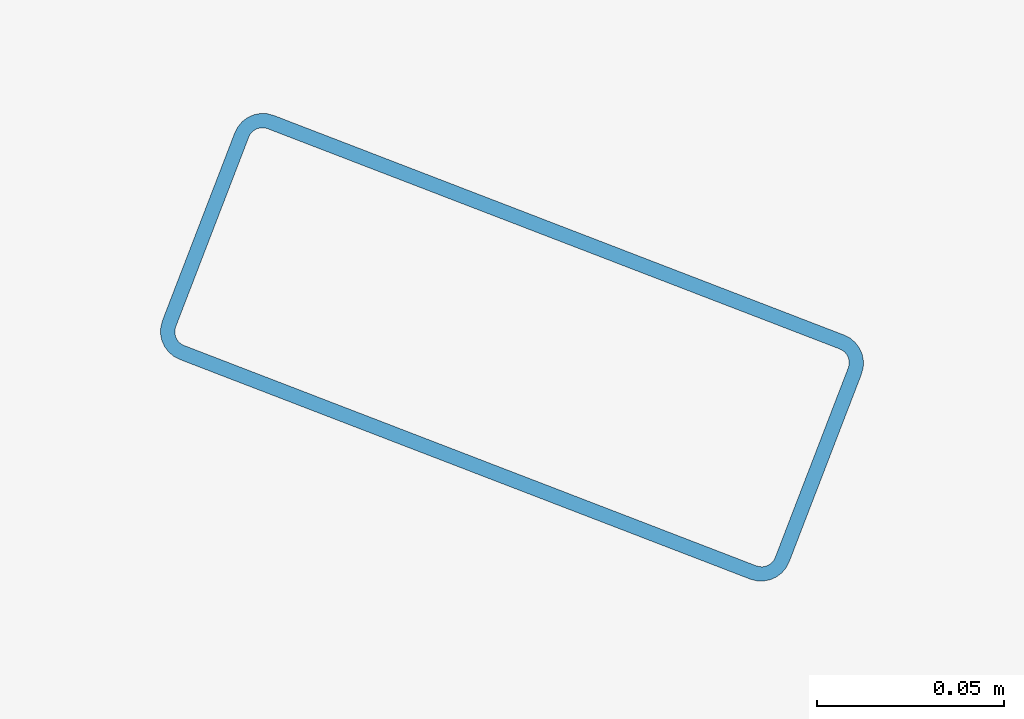
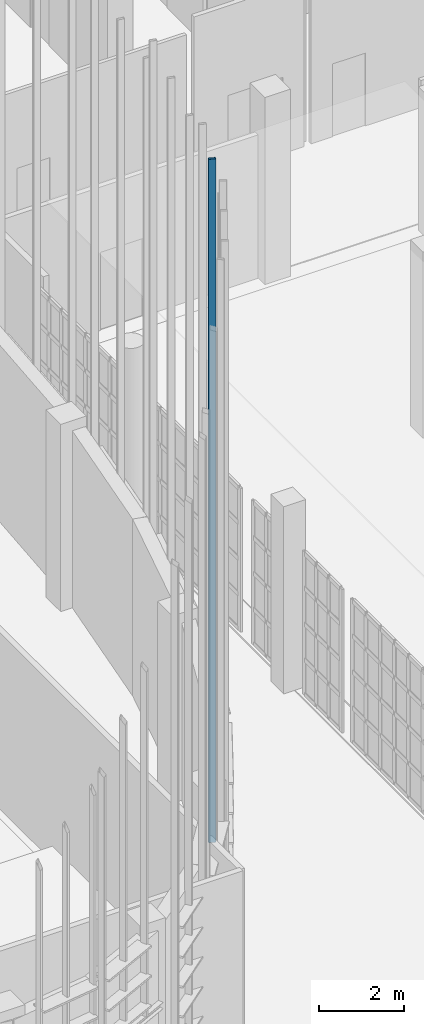
# One storey, part 209 of 372: 1 member.
"""IFC4 building model written with IfcOpenShell, lengths in metres."""

from ifc_helpers import new_model, si_unit, direction, frame, origin, origin_2d, place, context, subcontext, project, spatial, hollow_rectangle, extrude, material, material_profile, profile_set, type_object, element, save


model = new_model("IFC4")

# Units and contexts
model_context = context("Model", 3, precision=1e-05, world=origin(), true_north=direction((0.0, 1.0)))
body_context = subcontext(model_context, "Body", "Model", "MODEL_VIEW")
ifc_project = project(units=[si_unit("LENGTHUNIT", "METRE"), si_unit("AREAUNIT", "SQUARE_METRE"), si_unit("VOLUMEUNIT", "CUBIC_METRE"), si_unit("PLANEANGLEUNIT", "RADIAN"), si_unit("MASSUNIT", "GRAM", prefix="KILO")], contexts=[model_context])

# Site, building, storey
site_placement = place(None, origin())
site = spatial("IfcSite", under=ifc_project, at=site_placement, CompositionType="ELEMENT")
building_placement = place(site_placement, origin())
building = spatial("IfcBuilding", under=site, at=building_placement, Name="Kaelora Sail Theatre", CompositionType="ELEMENT")
storey_placement = place(building_placement, origin())
storey = spatial("IfcBuildingStorey", under=building, at=storey_placement, Name="L00", CompositionType="ELEMENT", Elevation=0.0)

# Member
ifc_material = material(Name="Anodised aluminium 6063-T6", Category="aluminium")
ifc_material_profile = material_profile(ifc_material, hollow_rectangle(XDim=0.070068359375, YDim=0.179931640625, WallThickness=0.00390625, InnerFilletRadius=0.00390625, OuterFilletRadius=0.008056640625, at=origin_2d()), Name="ALU-MULL 70x180x4")
ifc_profile_set = profile_set([ifc_material_profile], Name="Anodised aluminium 6063-T6")
member_type = type_object("IfcMemberType", Name="ARC-MEM-PST-160", PredefinedType="POST", material=ifc_profile_set)
member_placement = place(storey_placement, frame((101.990234375, 41.4140625, 0.0), z_axis=(0.0, 0.0, 1.0), x_axis=(-0.359345396006, -0.933204632634, 0.0)))
element("IfcMember", 1, at=member_placement, inside=storey, type_object=member_type, Name="Studio Theatre Sail Drum solar louvre vertical support post C5-2", PredefinedType="POST", context=body_context, shape_type="SweptSolid", body=[
    extrude(hollow_rectangle(XDim=0.070068359375, YDim=0.179931640625, WallThickness=0.00390625, InnerFilletRadius=0.00390625, OuterFilletRadius=0.008056640625, at=origin_2d()), origin(), (0.0, 0.0, 1.0), 19.72119140625),
])

save(model, "model.ifc")
